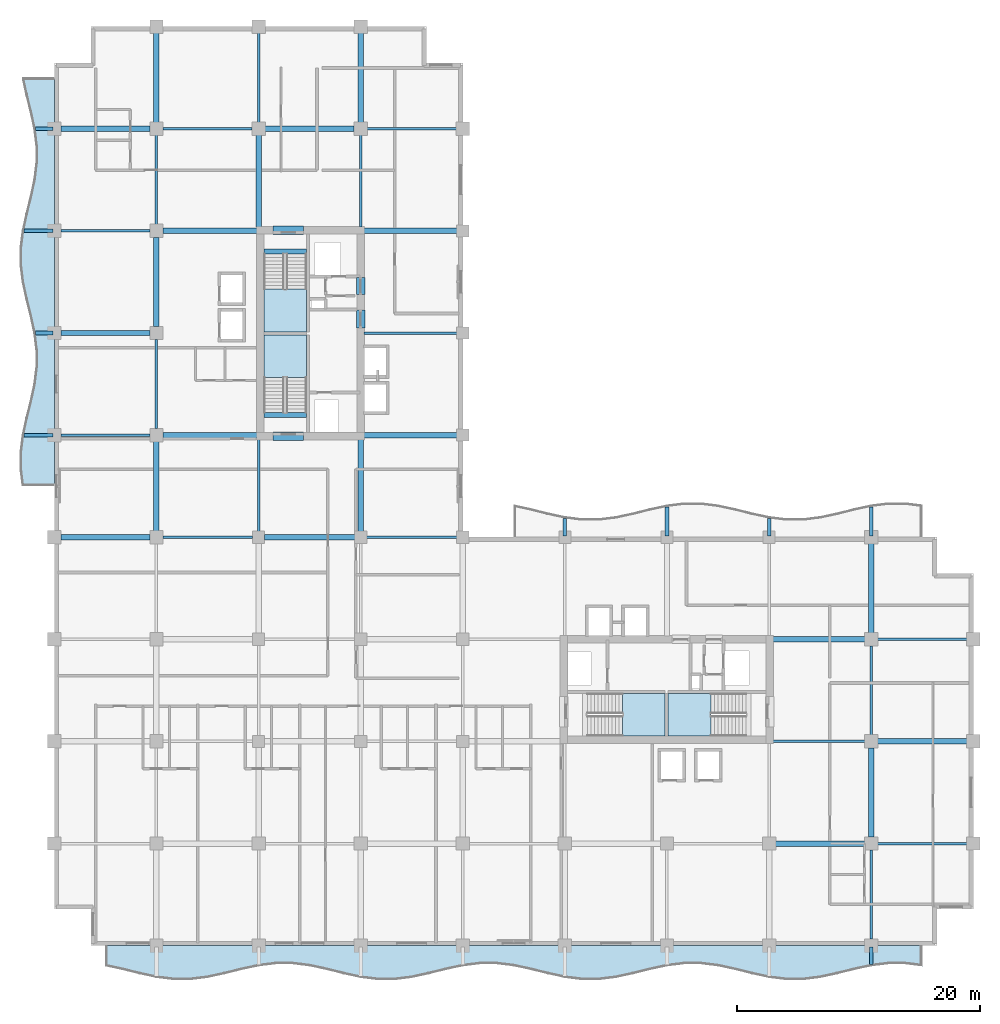
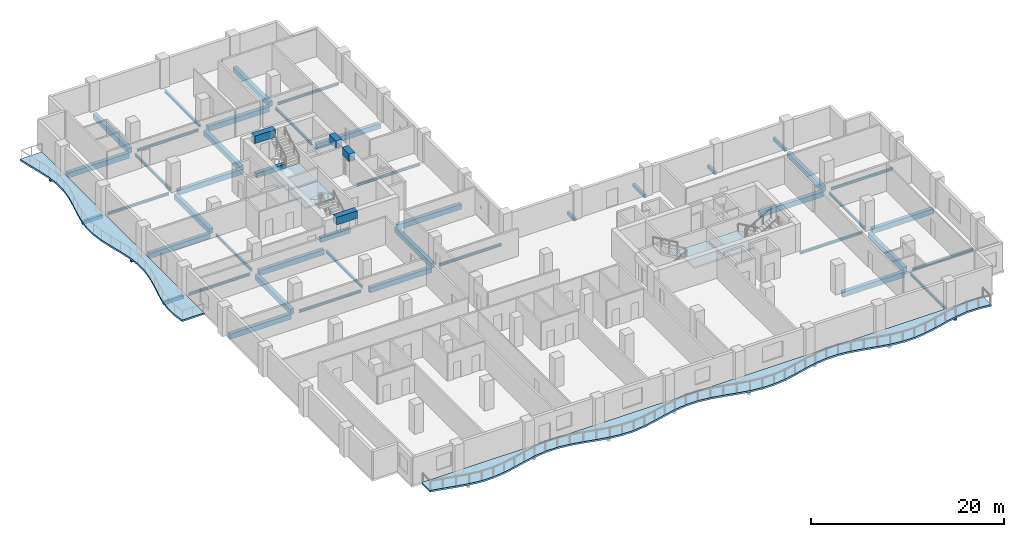
# One storey, part 2 of 14: 52 beams, 6 slabs, 4 elements without a shape of their own.
"""IFC4 building model written with IfcOpenShell, lengths in metres."""

import ifcopenshell
import ifcopenshell.guid

model = None  # the IFC model being written
_history = None  # IfcOwnerHistory: only IFC2X3 demands one
_inside = {}  # id of a spatial element -> (the spatial element, [elements in it])
_under = {}  # id of a project, library or spatial element -> (it, [spatial elements below it])
_declared = {}  # id of a project -> (the project, [libraries it declares])
_typed = {}  # id of a type object -> (the type object, [elements of that type])
_made_of = {}  # id of a material, layer set ... -> (it, [elements and type objects made of it])


def new_model(schema):
    """Start an empty IFC model of exactly this schema.

    Asked for "IFC4X3", IfcOpenShell would pick the latest addendum, in which some entities
    have other attributes; the version numbers below select the first issue.
    IFC2X3 requires an IfcOwnerHistory on every rooted entity: one is made here for all.
    """
    global model, _history
    if schema == "IFC4X3":
        model = ifcopenshell.file(schema_version=(4, 3, 0, 0))
    else:
        model = ifcopenshell.file(schema=schema)
    _inside.clear()
    _under.clear()
    _declared.clear()
    _typed.clear()
    _made_of.clear()
    _history = None
    if model.schema == "IFC2X3":
        org = make("IfcOrganization", Name="unknown")
        user = make(
            "IfcPersonAndOrganization",
            ThePerson=make("IfcPerson", FamilyName="unknown"),
            TheOrganization=org,
        )
        app = make(
            "IfcApplication",
            ApplicationDeveloper=org,
            Version="unknown",
            ApplicationFullName="unknown",
            ApplicationIdentifier="unknown",
        )
        _history = make(
            "IfcOwnerHistory",
            OwningUser=user,
            OwningApplication=app,
            ChangeAction="ADDED",
            CreationDate=0,
        )
    return model


def make(cls, **values):
    """One entity of the class cls with the attributes given. An attribute that is None is left unset."""
    return model.create_entity(
        cls, **{name: value for name, value in values.items() if value is not None}
    )


def rooted(cls, **values):
    """An entity with a GlobalId (a new one), such as an element, a storey or a relation."""
    return make(cls, GlobalId=ifcopenshell.guid.new(), OwnerHistory=_history, **values)


def si_unit(unit_type, name, prefix=None):
    """IfcSIUnit, for example si_unit("LENGTHUNIT", "METRE", prefix="MILLI")."""
    return make("IfcSIUnit", UnitType=unit_type, Prefix=prefix, Name=name)


def assignment(units):
    """IfcUnitAssignment: the units of a project."""
    return None if units is None else make("IfcUnitAssignment", Units=units)


def point(xyz):
    """IfcCartesianPoint."""
    return None if xyz is None else make("IfcCartesianPoint", Coordinates=xyz)


def direction(xyz):
    """IfcDirection."""
    return None if xyz is None else make("IfcDirection", DirectionRatios=xyz)


def frame(location, z_axis=None, x_axis=None):
    """IfcAxis2Placement3D, a coordinate frame: its origin and axes. An axis left out is left unset."""
    return make(
        "IfcAxis2Placement3D",
        Location=point(location),
        Axis=direction(z_axis),
        RefDirection=direction(x_axis),
    )


def frame_2d(location, x_axis=None):
    """IfcAxis2Placement2D, a coordinate frame in the plane: its origin and x axis."""
    return make(
        "IfcAxis2Placement2D", Location=point(location), RefDirection=direction(x_axis)
    )


def origin():
    """The frame at (0, 0, 0) with its axes left unset."""
    return frame((0.0, 0.0, 0.0))


def origin_2d():
    """The frame at (0, 0) in the plane with its x axis left unset."""
    return frame_2d((0.0, 0.0))


def place(relative_to, where):
    """IfcLocalPlacement: puts the frame where relative to a parent placement (None: the world)."""
    return make(
        "IfcLocalPlacement", PlacementRelTo=relative_to, RelativePlacement=where
    )


def context(
    kind, dimensions, precision=None, world=None, true_north=None, identifier=None
):
    """IfcGeometricRepresentationContext, for example the 3D "Model" context."""
    return make(
        "IfcGeometricRepresentationContext",
        ContextIdentifier=identifier,
        ContextType=kind,
        CoordinateSpaceDimension=dimensions,
        Precision=precision,
        WorldCoordinateSystem=world,
        TrueNorth=true_north,
    )


def subcontext(parent, identifier, kind, view, scale=None):
    """IfcGeometricRepresentationSubContext, for example "Body" below "Model"."""
    return make(
        "IfcGeometricRepresentationSubContext",
        ContextIdentifier=identifier,
        ContextType=kind,
        ParentContext=parent,
        TargetScale=scale,
        TargetView=view,
    )


def project(units=None, contexts=None):
    """IfcProject with its units and contexts."""
    return rooted(
        "IfcProject",
        Name="project",
        RepresentationContexts=contexts,
        UnitsInContext=assignment(units),
    )


def spatial(cls, under=None, at=None, **own):
    """A site, building, storey or space (cls), placed at a placement, below another one or the project."""
    s = rooted(cls, ObjectPlacement=at, **own)
    if under is not None:
        _under.setdefault(under.id(), (under, []))[1].append(s)
    return s


def polyline(points):
    """IfcPolyline through the points."""
    return make("IfcPolyline", Points=[point(p) for p in points])


def profile(cls, at=None, kind="AREA", **sizes):
    """A parametric profile (cls). Its sizes go by their IFC names, for example OverallWidth=200.0."""
    return make(cls, ProfileType=kind, Position=at, **sizes)


def rectangle(**sizes):
    """IfcRectangleProfileDef."""
    return profile("IfcRectangleProfileDef", **sizes)


def i_section(**sizes):
    """IfcIShapeProfileDef."""
    return profile("IfcIShapeProfileDef", **sizes)


def outline(outer, holes=None, kind="AREA"):
    """IfcArbitraryClosedProfileDef: a profile drawn as a closed curve; with holes, ...WithVoids."""
    if holes is None:
        return make("IfcArbitraryClosedProfileDef", ProfileType=kind, OuterCurve=outer)
    return make(
        "IfcArbitraryProfileDefWithVoids",
        ProfileType=kind,
        OuterCurve=outer,
        InnerCurves=holes,
    )


def extrude(swept, where, along, depth):
    """IfcExtrudedAreaSolid: the profile swept, set in the frame where, extruded along a direction by depth."""
    return make(
        "IfcExtrudedAreaSolid",
        SweptArea=swept,
        Position=where,
        ExtrudedDirection=direction(along),
        Depth=depth,
    )


def shape(context_of_items, identifier, shape_type, items):
    """IfcShapeRepresentation: the items that make up one representation, for example the "Body"."""
    return make(
        "IfcShapeRepresentation",
        ContextOfItems=context_of_items,
        RepresentationIdentifier=identifier,
        RepresentationType=shape_type,
        Items=items,
    )


def material(Name=None, Category=None):
    """IfcMaterial."""
    return make("IfcMaterial", Name=Name, Category=Category)


def layer(
    of_material, thickness, ventilated=None, Name=None, Category=None, Priority=None
):
    """IfcMaterialLayer: one layer of a wall or slab, of a material (None: an air gap)."""
    return make(
        "IfcMaterialLayer",
        Material=of_material,
        LayerThickness=thickness,
        IsVentilated=ventilated,
        Name=Name,
        Category=Category,
        Priority=Priority,
    )


def layer_set(layers, Name=None):
    """IfcMaterialLayerSet."""
    return make("IfcMaterialLayerSet", MaterialLayers=layers, LayerSetName=Name)


def material_profile(
    of_material, cross_section, Name=None, Category=None, Priority=None
):
    """IfcMaterialProfile: a cross section and its material."""
    return make(
        "IfcMaterialProfile",
        Name=Name,
        Material=of_material,
        Profile=cross_section,
        Priority=Priority,
        Category=Category,
    )


def profile_set(profiles, Name=None, composite=None):
    """IfcMaterialProfileSet."""
    return make(
        "IfcMaterialProfileSet",
        Name=Name,
        MaterialProfiles=profiles,
        CompositeProfile=composite,
    )


def made_of(thing, what):
    """Note that an element or type object is made of a material, layer set ...; save() writes the relation."""
    if what is not None:
        _made_of.setdefault(what.id(), (what, []))[1].append(thing)
    return thing


def type_object(cls, material=None, **own):
    """A type object (cls), such as IfcWallType, which elements share."""
    return made_of(rooted(cls, **own), material)


def element(
    cls,
    number,
    at=None,
    inside=None,
    cuts=None,
    type_object=None,
    material=None,
    context=None,
    identifier="Body",
    shape_type=None,
    held_by="IfcProductDefinitionShape",
    body=None,
    shapes=None,
    **own,
):
    """One element of the class cls, such as IfcWall. Its Tag is "e" and its number.

    at: its placement. inside: the storey or other place that contains it. cuts: it is an
    opening in that element (IfcRelVoidsElement). A single representation is given by context,
    identifier, shape_type and body (its items); several are given by shapes. held_by: the class
    of the entity that holds the representations. save() writes the other relations.
    """
    e = rooted(cls, Tag="e%d" % number, ObjectPlacement=at, **own)
    if body is not None:
        shapes = [shape(context, identifier, shape_type, body)]
    if shapes is not None:
        e.Representation = make(held_by, Representations=shapes)
    if inside is not None:
        _inside.setdefault(inside.id(), (inside, []))[1].append(e)
    if cuts is not None:
        rooted(
            "IfcRelVoidsElement", RelatingBuildingElement=cuts, RelatedOpeningElement=e
        )
    if type_object is not None:
        _typed.setdefault(type_object.id(), (type_object, []))[1].append(e)
    return made_of(e, material)


def aggregate(whole, parts):
    """IfcRelAggregates: a whole, such as a stair, and the parts it consists of."""
    return rooted("IfcRelAggregates", RelatingObject=whole, RelatedObjects=parts)


def save(model, path):
    """Write the relations noted so far, then the file.

    IfcRelAggregates (storeys below a building ...), IfcRelContainedInSpatialStructure (elements
    in a storey), IfcRelDefinesByType, IfcRelAssociatesMaterial and IfcRelDeclares: one each for
    every whole, place, type object, material and project.
    """
    for whole, parts in _under.values():
        aggregate(whole, parts)
    for where, things in _inside.values():
        rooted(
            "IfcRelContainedInSpatialStructure",
            RelatedElements=things,
            RelatingStructure=where,
        )
    for kind, things in _typed.values():
        rooted("IfcRelDefinesByType", RelatedObjects=things, RelatingType=kind)
    for what, things in _made_of.values():
        rooted("IfcRelAssociatesMaterial", RelatedObjects=things, RelatingMaterial=what)
    for by, libraries in _declared.values():
        rooted("IfcRelDeclares", RelatingContext=by, RelatedDefinitions=libraries)
    model.write(path)


model = new_model("IFC4")

# Units and contexts
model_context = context("Model", 3, precision=1e-05, world=origin(), true_north=direction((0.0, 1.0)))
body_context = subcontext(model_context, "Body", "Model", "MODEL_VIEW")
ifc_project = project(units=[si_unit("LENGTHUNIT", "METRE"), si_unit("AREAUNIT", "SQUARE_METRE"), si_unit("VOLUMEUNIT", "CUBIC_METRE"), si_unit("PLANEANGLEUNIT", "RADIAN"), si_unit("MASSUNIT", "GRAM", prefix="KILO")], contexts=[model_context])

# Site, building, storey
site_placement = place(None, origin())
site = spatial("IfcSite", under=ifc_project, at=site_placement, CompositionType="ELEMENT")
building_placement = place(site_placement, origin())
building = spatial("IfcBuilding", under=site, at=building_placement, Name="Koriwani Terraces Tower", CompositionType="ELEMENT")
storey_placement = place(building_placement, frame((0.0, 0.0, 201.300048828125)))
storey = spatial("IfcBuildingStorey", under=building, at=storey_placement, Name="L49", CompositionType="ELEMENT", Elevation=201.300048828125)

# Beams
ifc_material_1 = material(Name="Concrete C40/50", Category="concrete")
ifc_material_profile_1 = material_profile(ifc_material_1, rectangle(XDim=0.300048828125, YDim=0.39990234375, at=origin_2d()), Name="Concrete C40/50", Category="LoadBearing")
ifc_profile_set_1 = profile_set([ifc_material_profile_1], Name="Concrete C40/50")
beam_type_1 = type_object("IfcBeamType", Name="BEAM_RC_BALCONY_RIB_300X400", PredefinedType="JOIST", material=ifc_profile_set_1)
beam_1_placement = place(storey_placement, frame((67.199951171875, -1.547607421875, -0.429931640625), z_axis=(0.0, 1.0, 0.0), x_axis=(-1.0, 0.0, 0.0)))
element("IfcBeam", 1, at=beam_1_placement, inside=storey, type_object=beam_type_1, Name="L49 Balcony Bracket Rib S-8", PredefinedType="JOIST", context=body_context, shape_type="SweptSolid", body=[
    extrude(rectangle(XDim=0.300048828125, YDim=0.39990234375, at=origin_2d()), origin(), (0.0, 0.0, 1.0), 1.447509765625),
])
beam_2_placement = place(storey_placement, frame((-2.502197265625, 42.0, -0.429931640625), z_axis=(1.0, 0.0, 0.0), x_axis=(0.0, 1.0, 0.0)))
element("IfcBeam", 2, at=beam_2_placement, inside=storey, type_object=beam_type_1, Name="L49 Balcony Bracket Rib W-1", PredefinedType="JOIST", context=body_context, shape_type="SweptSolid", body=[
    extrude(rectangle(XDim=0.300048828125, YDim=0.39990234375, at=origin_2d()), origin(), (0.0, 0.0, 1.0), 2.402099609375),
])
beam_3_placement = place(storey_placement, frame((-1.547607421875, 50.39990234375, -0.429931640625), z_axis=(1.0, 0.0, 0.0), x_axis=(0.0, 1.0, 0.0)))
element("IfcBeam", 3, at=beam_3_placement, inside=storey, type_object=beam_type_1, Name="L49 Balcony Bracket Rib W-2", PredefinedType="JOIST", context=body_context, shape_type="SweptSolid", body=[
    extrude(rectangle(XDim=0.300048828125, YDim=0.39990234375, at=origin_2d()), origin(), (0.0, 0.0, 1.0), 1.447509765625),
])
beam_4_placement = place(storey_placement, frame((-2.502197265625, 58.800048828125, -0.429931640625), z_axis=(1.0, 0.0, 0.0), x_axis=(0.0, 1.0, 0.0)))
element("IfcBeam", 4, at=beam_4_placement, inside=storey, type_object=beam_type_1, Name="L49 Balcony Bracket Rib W-3", PredefinedType="JOIST", context=body_context, shape_type="SweptSolid", body=[
    extrude(rectangle(XDim=0.300048828125, YDim=0.39990234375, at=origin_2d()), origin(), (0.0, 0.0, 1.0), 2.402099609375),
])
beam_5_placement = place(storey_placement, frame((-1.547607421875, 67.199951171875, -0.429931640625), z_axis=(1.0, 0.0, 0.0), x_axis=(0.0, 1.0, 0.0)))
element("IfcBeam", 5, at=beam_5_placement, inside=storey, type_object=beam_type_1, Name="L49 Balcony Bracket Rib W-4", PredefinedType="JOIST", context=body_context, shape_type="SweptSolid", body=[
    extrude(rectangle(XDim=0.300048828125, YDim=0.39990234375, at=origin_2d()), origin(), (0.0, 0.0, 1.0), 1.447509765625),
])
beam_6_placement = place(storey_placement, frame((42.0, 33.699951171875, -0.429931640625), z_axis=(0.0, 1.0, 0.0), x_axis=(-1.0, 0.0, 0.0)))
element("IfcBeam", 6, at=beam_6_placement, inside=storey, type_object=beam_type_1, Name="L49 Balcony Bracket Rib NE-1", PredefinedType="JOIST", context=body_context, shape_type="SweptSolid", body=[
    extrude(rectangle(XDim=0.300048828125, YDim=0.39990234375, at=origin_2d()), origin(), (0.0, 0.0, 1.0), 1.44775390625),
])
beam_7_placement = place(storey_placement, frame((50.39990234375, 33.699951171875, -0.429931640625), z_axis=(0.0, 1.0, 0.0), x_axis=(-1.0, 0.0, 0.0)))
element("IfcBeam", 7, at=beam_7_placement, inside=storey, type_object=beam_type_1, Name="L49 Balcony Bracket Rib NE-2", PredefinedType="JOIST", context=body_context, shape_type="SweptSolid", body=[
    extrude(rectangle(XDim=0.300048828125, YDim=0.39990234375, at=origin_2d()), origin(), (0.0, 0.0, 1.0), 2.40234375),
])
beam_8_placement = place(storey_placement, frame((58.800048828125, 33.699951171875, -0.429931640625), z_axis=(0.0, 1.0, 0.0), x_axis=(-1.0, 0.0, 0.0)))
element("IfcBeam", 8, at=beam_8_placement, inside=storey, type_object=beam_type_1, Name="L49 Balcony Bracket Rib NE-3", PredefinedType="JOIST", context=body_context, shape_type="SweptSolid", body=[
    extrude(rectangle(XDim=0.300048828125, YDim=0.39990234375, at=origin_2d()), origin(), (0.0, 0.0, 1.0), 1.44775390625),
])
beam_9_placement = place(storey_placement, frame((67.199951171875, 33.699951171875, -0.429931640625), z_axis=(0.0, 1.0, 0.0), x_axis=(-1.0, 0.0, 0.0)))
element("IfcBeam", 9, at=beam_9_placement, inside=storey, type_object=beam_type_1, Name="L49 Balcony Bracket Rib NE-4", PredefinedType="JOIST", context=body_context, shape_type="SweptSolid", body=[
    extrude(rectangle(XDim=0.300048828125, YDim=0.39990234375, at=origin_2d()), origin(), (0.0, 0.0, 1.0), 2.40234375),
])
ifc_material_2 = material(Name="Concrete C60/75", Category="concrete")
ifc_material_profile_2 = material_profile(ifc_material_2, rectangle(XDim=0.699951171875, YDim=0.949951171875, at=origin_2d()), Name="Concrete C60/75", Category="LoadBearing")
ifc_profile_set_2 = profile_set([ifc_material_profile_2], Name="Concrete C60/75")
beam_type_2 = type_object("IfcBeamType", Name="BEAM_RC_COUPLING_700X950", PredefinedType="LINTEL", material=ifc_profile_set_2)
beam_10_placement = place(storey_placement, frame((25.199951171875, 50.800048828125, 2.994873046875), z_axis=(0.0, 1.0, 0.0), x_axis=(-1.0, 0.0, 0.0)))
element("IfcBeam", 10, at=beam_10_placement, inside=storey, type_object=beam_type_2, Name="L49 Core Coupling Lintel Beam WE1", PredefinedType="LINTEL", context=body_context, shape_type="SweptSolid", body=[
    extrude(rectangle(XDim=0.699951171875, YDim=0.949951171875, at=origin_2d()), origin(), (0.0, 0.0, 1.0), 1.47998046875),
])
beam_11_placement = place(storey_placement, frame((25.199951171875, 53.550048828125, 2.994873046875), z_axis=(0.0, 1.0, 0.0), x_axis=(-1.0, 0.0, 0.0)))
element("IfcBeam", 11, at=beam_11_placement, inside=storey, type_object=beam_type_2, Name="L49 Core Coupling Lintel Beam WE2", PredefinedType="LINTEL", context=body_context, shape_type="SweptSolid", body=[
    extrude(rectangle(XDim=0.699951171875, YDim=0.949951171875, at=origin_2d()), origin(), (0.0, 0.0, 1.0), 1.39990234375),
])
for number, where, z_axis, x_axis, name in (
    (12, (18.0, 41.89990234375, 2.994873046875), (1.0, 0.0, 0.0), (0.0, 1.0, 0.0), "L49 Core Coupling Lintel Beam WS"),
    (13, (18.0, 58.85009765625, 2.994873046875), (1.0, 0.0, 0.0), (0.0, 1.0, 0.0), "L49 Core Coupling Lintel Beam WN"),
):
    element("IfcBeam", number, at=place(storey_placement, frame(where, z_axis=z_axis, x_axis=x_axis)), inside=storey, type_object=beam_type_2, Name=name, PredefinedType="LINTEL", context=body_context, shape_type="SweptSolid", body=[
        extrude(rectangle(XDim=0.699951171875, YDim=0.949951171875, at=origin_2d()), origin(), (0.0, 0.0, 1.0), 2.5),
    ])
ifc_material_profile_3 = material_profile(ifc_material_1, rectangle(XDim=0.39990234375, YDim=0.60009765625, at=origin_2d()), Name="Concrete C40/50", Category="LoadBearing")
ifc_profile_set_3 = profile_set([ifc_material_profile_3], Name="Concrete C40/50")
beam_type_3 = type_object("IfcBeamType", Name="BEAM_RC_GRID_400X600", PredefinedType="BEAM", material=ifc_profile_set_3)
for number, where, z_axis, x_axis, name in (
    (14, (17.25, 43.655029296875, -0.300048828125), (1.0, 0.0, 0.0), (0.0, 1.0, 0.0), "L49 Stairwell Header Trimmer Beam ST-W1"),
    (15, (17.25, 57.094970703125, -0.300048828125), (1.0, 0.0, 0.0), (0.0, 1.0, 0.0), "L49 Stairwell Header Trimmer Beam ST-W2"),
):
    element("IfcBeam", number, at=place(storey_placement, frame(where, z_axis=z_axis, x_axis=x_axis)), inside=storey, type_object=beam_type_3, Name=name, PredefinedType="BEAM", context=body_context, shape_type="SweptSolid", body=[
        extrude(rectangle(XDim=0.39990234375, YDim=0.60009765625, at=origin_2d()), origin(), (0.0, 0.0, 1.0), 3.5),
    ])
ifc_material_3 = material(Name="Concrete C50/60", Category="concrete")
ifc_material_profile_4 = material_profile(ifc_material_3, rectangle(XDim=0.449951171875, YDim=0.64990234375, at=origin_2d()), Name="Concrete C50/60", Category="LoadBearing")
ifc_profile_set_4 = profile_set([ifc_material_profile_4], Name="Concrete C50/60")
beam_type_4 = type_object("IfcBeamType", Name="BEAM_RC_GRID_450X650", PredefinedType="BEAM", material=ifc_profile_set_4)
beam_12_placement = place(storey_placement, frame((59.330078125, 8.39990234375, -0.554931640625), z_axis=(1.0, 0.0, 0.0), x_axis=(0.0, 1.0, 0.0)))
element("IfcBeam", 16, at=beam_12_placement, inside=storey, type_object=beam_type_4, Name="L49 Grid Beam B (58.8-67.2m)", PredefinedType="BEAM", context=body_context, shape_type="SweptSolid", body=[
    extrude(rectangle(XDim=0.449951171875, YDim=0.64990234375, at=origin_2d()), origin(), (0.0, 0.0, 1.0), 7.33984375),
])
beam_13_placement = place(storey_placement, frame((67.72998046875, 16.800048828125, -0.554931640625), z_axis=(1.0, 0.0, 0.0), x_axis=(0.0, 1.0, 0.0)))
element("IfcBeam", 17, at=beam_13_placement, inside=storey, type_object=beam_type_4, Name="L49 Grid Beam C (67.2-75.6m)", PredefinedType="BEAM", context=body_context, shape_type="SweptSolid", body=[
    extrude(rectangle(XDim=0.449951171875, YDim=0.64990234375, at=origin_2d()), origin(), (0.0, 0.0, 1.0), 7.340087890625),
])
beam_14_placement = place(storey_placement, frame((59.1298828125, 25.199951171875, -0.554931640625), z_axis=(1.0, 0.0, 0.0), x_axis=(0.0, 1.0, 0.0)))
element("IfcBeam", 18, at=beam_14_placement, inside=storey, type_object=beam_type_4, Name="L49 Grid Beam D (58.8-67.2m)", PredefinedType="BEAM", context=body_context, shape_type="SweptSolid", body=[
    extrude(rectangle(XDim=0.449951171875, YDim=0.64990234375, at=origin_2d()), origin(), (0.0, 0.0, 1.0), 7.5400390625),
])
beam_15_placement = place(storey_placement, frame((0.530029296875, 33.60009765625, -0.554931640625), z_axis=(1.0, 0.0, 0.0), x_axis=(0.0, 1.0, 0.0)))
element("IfcBeam", 19, at=beam_15_placement, inside=storey, type_object=beam_type_4, Name="L49 Grid Beam E (0.0-8.4m)", PredefinedType="BEAM", context=body_context, shape_type="SweptSolid", body=[
    extrude(rectangle(XDim=0.449951171875, YDim=0.64990234375, at=origin_2d()), origin(), (0.0, 0.0, 1.0), 7.340087890625),
])
beam_16_placement = place(storey_placement, frame((17.280029296875, 33.60009765625, -0.554931640625), z_axis=(1.0, 0.0, 0.0), x_axis=(0.0, 1.0, 0.0)))
element("IfcBeam", 20, at=beam_16_placement, inside=storey, type_object=beam_type_4, Name="L49 Grid Beam E (16.8-25.2m)", PredefinedType="BEAM", context=body_context, shape_type="SweptSolid", body=[
    extrude(rectangle(XDim=0.449951171875, YDim=0.64990234375, at=origin_2d()), origin(), (0.0, 0.0, 1.0), 7.43994140625),
])
beam_17_placement = place(storey_placement, frame((8.929931640625, 42.0, -0.554931640625), z_axis=(1.0, 0.0, 0.0), x_axis=(0.0, 1.0, 0.0)))
element("IfcBeam", 21, at=beam_17_placement, inside=storey, type_object=beam_type_4, Name="L49 Grid Beam F (8.4-16.8m)", PredefinedType="BEAM", context=body_context, shape_type="SweptSolid", body=[
    extrude(rectangle(XDim=0.449951171875, YDim=0.64990234375, at=origin_2d()), origin(), (0.0, 0.0, 1.0), 7.739990234375),
])
beam_18_placement = place(storey_placement, frame((25.47998046875, 42.0, -0.554931640625), z_axis=(1.0, 0.0, 0.0), x_axis=(0.0, 1.0, 0.0)))
element("IfcBeam", 22, at=beam_18_placement, inside=storey, type_object=beam_type_4, Name="L49 Grid Beam F (25.2-33.6m)", PredefinedType="BEAM", context=body_context, shape_type="SweptSolid", body=[
    extrude(rectangle(XDim=0.449951171875, YDim=0.64990234375, at=origin_2d()), origin(), (0.0, 0.0, 1.0), 7.64013671875),
])
beam_19_placement = place(storey_placement, frame((0.530029296875, 50.39990234375, -0.554931640625), z_axis=(1.0, 0.0, 0.0), x_axis=(0.0, 1.0, 0.0)))
element("IfcBeam", 23, at=beam_19_placement, inside=storey, type_object=beam_type_4, Name="L49 Grid Beam G (0.0-8.4m)", PredefinedType="BEAM", context=body_context, shape_type="SweptSolid", body=[
    extrude(rectangle(XDim=0.449951171875, YDim=0.64990234375, at=origin_2d()), origin(), (0.0, 0.0, 1.0), 7.340087890625),
])
beam_20_placement = place(storey_placement, frame((8.929931640625, 58.800048828125, -0.554931640625), z_axis=(1.0, 0.0, 0.0), x_axis=(0.0, 1.0, 0.0)))
element("IfcBeam", 24, at=beam_20_placement, inside=storey, type_object=beam_type_4, Name="L49 Grid Beam H (8.4-16.8m)", PredefinedType="BEAM", context=body_context, shape_type="SweptSolid", body=[
    extrude(rectangle(XDim=0.449951171875, YDim=0.64990234375, at=origin_2d()), origin(), (0.0, 0.0, 1.0), 7.739990234375),
])
beam_21_placement = place(storey_placement, frame((25.47998046875, 58.800048828125, -0.554931640625), z_axis=(1.0, 0.0, 0.0), x_axis=(0.0, 1.0, 0.0)))
element("IfcBeam", 25, at=beam_21_placement, inside=storey, type_object=beam_type_4, Name="L49 Grid Beam H (25.2-33.6m)", PredefinedType="BEAM", context=body_context, shape_type="SweptSolid", body=[
    extrude(rectangle(XDim=0.449951171875, YDim=0.64990234375, at=origin_2d()), origin(), (0.0, 0.0, 1.0), 7.64013671875),
])
beam_22_placement = place(storey_placement, frame((0.530029296875, 67.199951171875, -0.554931640625), z_axis=(1.0, 0.0, 0.0), x_axis=(0.0, 1.0, 0.0)))
element("IfcBeam", 26, at=beam_22_placement, inside=storey, type_object=beam_type_4, Name="L49 Grid Beam I (0.0-8.4m)", PredefinedType="BEAM", context=body_context, shape_type="SweptSolid", body=[
    extrude(rectangle(XDim=0.449951171875, YDim=0.64990234375, at=origin_2d()), origin(), (0.0, 0.0, 1.0), 7.340087890625),
])
beam_23_placement = place(storey_placement, frame((17.330078125, 67.199951171875, -0.554931640625), z_axis=(1.0, 0.0, 0.0), x_axis=(0.0, 1.0, 0.0)))
element("IfcBeam", 27, at=beam_23_placement, inside=storey, type_object=beam_type_4, Name="L49 Grid Beam I (16.8-25.2m)", PredefinedType="BEAM", context=body_context, shape_type="SweptSolid", body=[
    extrude(rectangle(XDim=0.449951171875, YDim=0.64990234375, at=origin_2d()), origin(), (0.0, 0.0, 1.0), 7.33984375),
])
for number, where, z_axis, x_axis, name in (
    (28, (8.39990234375, 34.1298828125, -0.554931640625), (0.0, 1.0, 0.0), (-1.0, 0.0, 0.0), "L49 Grid Beam 2 (33.6-42.0m)"),
    (29, (8.39990234375, 50.929931640625, -0.554931640625), (0.0, 1.0, 0.0), (-1.0, 0.0, 0.0), "L49 Grid Beam 2 (50.4-58.8m)"),
    (30, (8.39990234375, 67.72998046875, -0.554931640625), (0.0, 1.0, 0.0), (-1.0, 0.0, 0.0), "L49 Grid Beam 2 (67.2-75.6m)"),
):
    element("IfcBeam", number, at=place(storey_placement, frame(where, z_axis=z_axis, x_axis=x_axis)), inside=storey, type_object=beam_type_4, Name=name, PredefinedType="BEAM", context=body_context, shape_type="SweptSolid", body=[
        extrude(rectangle(XDim=0.449951171875, YDim=0.64990234375, at=origin_2d()), origin(), (0.0, 0.0, 1.0), 7.340087890625),
    ])
for number, where, z_axis, x_axis, name in (
    (31, (16.800048828125, 59.1298828125, -0.554931640625), (0.0, 1.0, 0.0), (-1.0, 0.0, 0.0), "L49 Grid Beam 3 (58.8-67.2m)"),
    (32, (25.199951171875, 34.080078125, -0.554931640625), (0.0, 1.0, 0.0), (-1.0, 0.0, 0.0), "L49 Grid Beam 4 (33.6-42.0m)"),
):
    element("IfcBeam", number, at=place(storey_placement, frame(where, z_axis=z_axis, x_axis=x_axis)), inside=storey, type_object=beam_type_4, Name=name, PredefinedType="BEAM", context=body_context, shape_type="SweptSolid", body=[
        extrude(rectangle(XDim=0.449951171875, YDim=0.64990234375, at=origin_2d()), origin(), (0.0, 0.0, 1.0), 7.5400390625),
    ])
for number, where, z_axis, x_axis, name in (
    (33, (25.199951171875, 67.72998046875, -0.554931640625), (0.0, 1.0, 0.0), (-1.0, 0.0, 0.0), "L49 Grid Beam 4 (67.2-75.6m)"),
    (34, (67.199951171875, 8.929931640625, -0.554931640625), (0.0, 1.0, 0.0), (-1.0, 0.0, 0.0), "L49 Grid Beam 9 (8.4-16.8m)"),
    (35, (67.199951171875, 25.72998046875, -0.554931640625), (0.0, 1.0, 0.0), (-1.0, 0.0, 0.0), "L49 Grid Beam 9 (25.2-33.6m)"),
):
    element("IfcBeam", number, at=place(storey_placement, frame(where, z_axis=z_axis, x_axis=x_axis)), inside=storey, type_object=beam_type_4, Name=name, PredefinedType="BEAM", context=body_context, shape_type="SweptSolid", body=[
        extrude(rectangle(XDim=0.449951171875, YDim=0.64990234375, at=origin_2d()), origin(), (0.0, 0.0, 1.0), 7.340087890625),
    ])
ifc_material_4 = material(Name="Steel ASTM A572 Grade 50", Category="steel")
ifc_material_profile_5 = material_profile(ifc_material_4, i_section(OverallWidth=0.205078125, OverallDepth=0.31005859375, WebThickness=0.009521484375, FlangeThickness=0.016357421875, at=origin_2d()), Name="Steel ASTM A572 Grade 50", Category="LoadBearing")
ifc_profile_set_5 = profile_set([ifc_material_profile_5], Name="Steel ASTM A572 Grade 50")
beam_type_5 = type_object("IfcBeamType", Name="STEEL_BEAM_W310X74", PredefinedType="JOIST", material=ifc_profile_set_5)
beam_24_placement = place(storey_placement, frame((67.72998046875, 8.39990234375, -0.385009765625), z_axis=(1.0, 0.0, 0.0), x_axis=(0.0, 1.0, 0.0)))
element("IfcBeam", 36, at=beam_24_placement, inside=storey, type_object=beam_type_5, Name="L49 Grid Beam B (67.2-75.6m)", PredefinedType="JOIST", context=body_context, shape_type="SweptSolid", body=[
    extrude(i_section(OverallWidth=0.205078125, OverallDepth=0.31005859375, WebThickness=0.009521484375, FlangeThickness=0.016357421875, at=origin_2d()), origin(), (0.0, 0.0, 1.0), 7.340087890625),
])
beam_25_placement = place(storey_placement, frame((59.1298828125, 16.800048828125, -0.385009765625), z_axis=(1.0, 0.0, 0.0), x_axis=(0.0, 1.0, 0.0)))
element("IfcBeam", 37, at=beam_25_placement, inside=storey, type_object=beam_type_5, Name="L49 Grid Beam C (58.8-67.2m)", PredefinedType="JOIST", context=body_context, shape_type="SweptSolid", body=[
    extrude(i_section(OverallWidth=0.205078125, OverallDepth=0.31005859375, WebThickness=0.009521484375, FlangeThickness=0.016357421875, at=origin_2d()), origin(), (0.0, 0.0, 1.0), 7.5400390625),
])
beam_26_placement = place(storey_placement, frame((67.72998046875, 25.199951171875, -0.385009765625), z_axis=(1.0, 0.0, 0.0), x_axis=(0.0, 1.0, 0.0)))
element("IfcBeam", 38, at=beam_26_placement, inside=storey, type_object=beam_type_5, Name="L49 Grid Beam D (67.2-75.6m)", PredefinedType="JOIST", context=body_context, shape_type="SweptSolid", body=[
    extrude(i_section(OverallWidth=0.205078125, OverallDepth=0.31005859375, WebThickness=0.009521484375, FlangeThickness=0.016357421875, at=origin_2d()), origin(), (0.0, 0.0, 1.0), 7.340087890625),
])
beam_27_placement = place(storey_placement, frame((8.929931640625, 33.60009765625, -0.385009765625), z_axis=(1.0, 0.0, 0.0), x_axis=(0.0, 1.0, 0.0)))
element("IfcBeam", 39, at=beam_27_placement, inside=storey, type_object=beam_type_5, Name="L49 Grid Beam E (8.4-16.8m)", PredefinedType="JOIST", context=body_context, shape_type="SweptSolid", body=[
    extrude(i_section(OverallWidth=0.205078125, OverallDepth=0.31005859375, WebThickness=0.009521484375, FlangeThickness=0.016357421875, at=origin_2d()), origin(), (0.0, 0.0, 1.0), 7.39013671875),
])
beam_28_placement = place(storey_placement, frame((25.679931640625, 33.60009765625, -0.385009765625), z_axis=(1.0, 0.0, 0.0), x_axis=(0.0, 1.0, 0.0)))
element("IfcBeam", 40, at=beam_28_placement, inside=storey, type_object=beam_type_5, Name="L49 Grid Beam E (25.2-33.6m)", PredefinedType="JOIST", context=body_context, shape_type="SweptSolid", body=[
    extrude(i_section(OverallWidth=0.205078125, OverallDepth=0.31005859375, WebThickness=0.009521484375, FlangeThickness=0.016357421875, at=origin_2d()), origin(), (0.0, 0.0, 1.0), 7.440185546875),
])
beam_29_placement = place(storey_placement, frame((0.530029296875, 42.0, -0.385009765625), z_axis=(1.0, 0.0, 0.0), x_axis=(0.0, 1.0, 0.0)))
element("IfcBeam", 41, at=beam_29_placement, inside=storey, type_object=beam_type_5, Name="L49 Grid Beam F (0.0-8.4m)", PredefinedType="JOIST", context=body_context, shape_type="SweptSolid", body=[
    extrude(i_section(OverallWidth=0.205078125, OverallDepth=0.31005859375, WebThickness=0.009521484375, FlangeThickness=0.016357421875, at=origin_2d()), origin(), (0.0, 0.0, 1.0), 7.340087890625),
])
beam_30_placement = place(storey_placement, frame((25.47998046875, 50.39990234375, -0.385009765625), z_axis=(1.0, 0.0, 0.0), x_axis=(0.0, 1.0, 0.0)))
element("IfcBeam", 42, at=beam_30_placement, inside=storey, type_object=beam_type_5, Name="L49 Grid Beam G (25.2-33.6m)", PredefinedType="JOIST", context=body_context, shape_type="SweptSolid", body=[
    extrude(i_section(OverallWidth=0.205078125, OverallDepth=0.31005859375, WebThickness=0.009521484375, FlangeThickness=0.016357421875, at=origin_2d()), origin(), (0.0, 0.0, 1.0), 7.64013671875),
])
for number, where, z_axis, x_axis, name in (
    (43, (0.530029296875, 58.800048828125, -0.385009765625), (1.0, 0.0, 0.0), (0.0, 1.0, 0.0), "L49 Grid Beam H (0.0-8.4m)"),
    (44, (8.929931640625, 67.199951171875, -0.385009765625), (1.0, 0.0, 0.0), (0.0, 1.0, 0.0), "L49 Grid Beam I (8.4-16.8m)"),
    (45, (25.72998046875, 67.199951171875, -0.385009765625), (1.0, 0.0, 0.0), (0.0, 1.0, 0.0), "L49 Grid Beam I (25.2-33.6m)"),
    (46, (8.39990234375, 42.530029296875, -0.385009765625), (0.0, 1.0, 0.0), (-1.0, 0.0, 0.0), "L49 Grid Beam 2 (42.0-50.4m)"),
):
    element("IfcBeam", number, at=place(storey_placement, frame(where, z_axis=z_axis, x_axis=x_axis)), inside=storey, type_object=beam_type_5, Name=name, PredefinedType="JOIST", context=body_context, shape_type="SweptSolid", body=[
        extrude(i_section(OverallWidth=0.205078125, OverallDepth=0.31005859375, WebThickness=0.009521484375, FlangeThickness=0.016357421875, at=origin_2d()), origin(), (0.0, 0.0, 1.0), 7.340087890625),
    ])
beam_31_placement = place(storey_placement, frame((8.39990234375, 59.330078125, -0.385009765625), z_axis=(0.0, 1.0, 0.0), x_axis=(-1.0, 0.0, 0.0)))
element("IfcBeam", 47, at=beam_31_placement, inside=storey, type_object=beam_type_5, Name="L49 Grid Beam 2 (58.8-67.2m)", PredefinedType="JOIST", context=body_context, shape_type="SweptSolid", body=[
    extrude(i_section(OverallWidth=0.205078125, OverallDepth=0.31005859375, WebThickness=0.009521484375, FlangeThickness=0.016357421875, at=origin_2d()), origin(), (0.0, 0.0, 1.0), 7.33984375),
])
beam_32_placement = place(storey_placement, frame((16.800048828125, 34.080078125, -0.385009765625), z_axis=(0.0, 1.0, 0.0), x_axis=(-1.0, 0.0, 0.0)))
element("IfcBeam", 48, at=beam_32_placement, inside=storey, type_object=beam_type_5, Name="L49 Grid Beam 3 (33.6-42.0m)", PredefinedType="JOIST", context=body_context, shape_type="SweptSolid", body=[
    extrude(i_section(OverallWidth=0.205078125, OverallDepth=0.31005859375, WebThickness=0.009521484375, FlangeThickness=0.016357421875, at=origin_2d()), origin(), (0.0, 0.0, 1.0), 7.5400390625),
])
beam_33_placement = place(storey_placement, frame((16.800048828125, 67.72998046875, -0.385009765625), z_axis=(0.0, 1.0, 0.0), x_axis=(-1.0, 0.0, 0.0)))
element("IfcBeam", 49, at=beam_33_placement, inside=storey, type_object=beam_type_5, Name="L49 Grid Beam 3 (67.2-75.6m)", PredefinedType="JOIST", context=body_context, shape_type="SweptSolid", body=[
    extrude(i_section(OverallWidth=0.205078125, OverallDepth=0.31005859375, WebThickness=0.009521484375, FlangeThickness=0.016357421875, at=origin_2d()), origin(), (0.0, 0.0, 1.0), 7.340087890625),
])
beam_34_placement = place(storey_placement, frame((25.199951171875, 59.1298828125, -0.385009765625), z_axis=(0.0, 1.0, 0.0), x_axis=(-1.0, 0.0, 0.0)))
element("IfcBeam", 50, at=beam_34_placement, inside=storey, type_object=beam_type_5, Name="L49 Grid Beam 4 (58.8-67.2m)", PredefinedType="JOIST", context=body_context, shape_type="SweptSolid", body=[
    extrude(i_section(OverallWidth=0.205078125, OverallDepth=0.31005859375, WebThickness=0.009521484375, FlangeThickness=0.016357421875, at=origin_2d()), origin(), (0.0, 0.0, 1.0), 7.5400390625),
])
beam_35_placement = place(storey_placement, frame((67.199951171875, 0.530029296875, -0.385009765625), z_axis=(0.0, 1.0, 0.0), x_axis=(-1.0, 0.0, 0.0)))
element("IfcBeam", 51, at=beam_35_placement, inside=storey, type_object=beam_type_5, Name="L49 Grid Beam 9 (0.0-8.4m)", PredefinedType="JOIST", context=body_context, shape_type="SweptSolid", body=[
    extrude(i_section(OverallWidth=0.205078125, OverallDepth=0.31005859375, WebThickness=0.009521484375, FlangeThickness=0.016357421875, at=origin_2d()), origin(), (0.0, 0.0, 1.0), 7.340087890625),
])
beam_36_placement = place(storey_placement, frame((67.199951171875, 17.330078125, -0.385009765625), z_axis=(0.0, 1.0, 0.0), x_axis=(-1.0, 0.0, 0.0)))
element("IfcBeam", 52, at=beam_36_placement, inside=storey, type_object=beam_type_5, Name="L49 Grid Beam 9 (16.8-25.2m)", PredefinedType="JOIST", context=body_context, shape_type="SweptSolid", body=[
    extrude(i_section(OverallWidth=0.205078125, OverallDepth=0.31005859375, WebThickness=0.009521484375, FlangeThickness=0.016357421875, at=origin_2d()), origin(), (0.0, 0.0, 1.0), 7.33984375),
])

# Slabs
ifc_layer_1 = layer(ifc_material_1, 0.219970703125, Name="Concrete C40/50")
ifc_layer_set_1 = layer_set([ifc_layer_1], Name="Concrete C40/50")
slab_type_1 = type_object("IfcSlabType", Name="SLAB_BALCONY_220", PredefinedType="FLOOR", material=ifc_layer_set_1)
slab_1_placement = place(storey_placement, frame((0.0, 0.0, -0.219970703125)))
element("IfcSlab", 53, at=slab_1_placement, inside=storey, type_object=slab_type_1, Name="L49 Quilted Circular-Arc Balcony (S)", PredefinedType="FLOOR", context=body_context, shape_type="SweptSolid", body=[
    extrude(outline(polyline([(4.199951171875, 0.0), (5.60009765625, 0.0), (7.0, 0.0), (8.39990234375, 0.0), (9.800048828125, 0.0), (11.199951171875, 0.0), (12.60009765625, 0.0), (14.0, 0.0), (15.39990234375, 0.0), (16.800048828125, 0.0), (18.199951171875, 0.0), (19.60009765625, 0.0), (21.0, 0.0), (22.39990234375, 0.0), (23.800048828125, 0.0), (25.199951171875, 0.0), (26.60009765625, 0.0), (28.0, 0.0), (29.39990234375, 0.0), (30.800048828125, 0.0), (32.199951171875, 0.0), (33.60009765625, 0.0), (35.0, 0.0), (36.39990234375, 0.0), (37.800048828125, 0.0), (39.199951171875, 0.0), (40.60009765625, 0.0), (42.0, 0.0), (43.39990234375, 0.0), (44.800048828125, 0.0), (46.199951171875, 0.0), (47.60009765625, 0.0), (49.0, 0.0), (50.39990234375, 0.0), (51.800048828125, 0.0), (53.199951171875, 0.0), (54.60009765625, 0.0), (56.0, 0.0), (57.39990234375, 0.0), (58.800048828125, 0.0), (60.199951171875, 0.0), (61.60009765625, 0.0), (63.0, 0.0), (64.39990234375, 0.0), (65.800048828125, 0.0), (67.199951171875, 0.0), (68.60009765625, 0.0), (70.0, 0.0), (71.39990234375, 0.0), (71.39990234375, -1.69775390625), (70.0, -1.52294921875), (68.60009765625, -1.52294921875), (67.199951171875, -1.69775390625), (65.800048828125, -2.000244140625), (64.39990234375, -2.349609375), (63.0, -2.65234375), (61.60009765625, -2.826904296875), (60.199951171875, -2.826904296875), (58.800048828125, -2.65234375), (57.39990234375, -2.349609375), (56.0, -2.000244140625), (54.60009765625, -1.69775390625), (53.199951171875, -1.52294921875), (51.800048828125, -1.52294921875), (50.39990234375, -1.69775390625), (49.0, -2.000244140625), (47.60009765625, -2.349609375), (46.199951171875, -2.65234375), (44.800048828125, -2.826904296875), (43.39990234375, -2.826904296875), (42.0, -2.65234375), (40.60009765625, -2.349609375), (39.199951171875, -2.000244140625), (37.800048828125, -1.69775390625), (36.39990234375, -1.52294921875), (35.0, -1.52294921875), (33.60009765625, -1.69775390625), (32.199951171875, -2.000244140625), (30.800048828125, -2.349609375), (29.39990234375, -2.65234375), (28.0, -2.826904296875), (26.60009765625, -2.826904296875), (25.199951171875, -2.65234375), (23.800048828125, -2.349609375), (22.39990234375, -2.000244140625), (21.0, -1.69775390625), (19.60009765625, -1.52294921875), (18.199951171875, -1.52294921875), (16.800048828125, -1.69775390625), (15.39990234375, -2.000244140625), (14.0, -2.349609375), (12.60009765625, -2.65234375), (11.199951171875, -2.826904296875), (9.800048828125, -2.826904296875), (8.39990234375, -2.65234375), (7.0, -2.349609375), (5.60009765625, -2.000244140625), (4.199951171875, -1.69775390625), (4.199951171875, 0.0)])), origin(), (0.0, 0.0, 1.0), 0.219970703125),
])
slab_2_placement = place(storey_placement, frame((0.0, 0.0, -0.219970703125)))
element("IfcSlab", 54, at=slab_2_placement, inside=storey, type_object=slab_type_1, Name="L49 Quilted Circular-Arc Balcony (W)", PredefinedType="FLOOR", context=body_context, shape_type="SweptSolid", body=[
    extrude(outline(polyline([(0.0, 37.800048828125), (0.0, 39.199951171875), (0.0, 40.60009765625), (0.0, 42.0), (0.0, 43.39990234375), (0.0, 44.800048828125), (0.0, 46.199951171875), (0.0, 47.60009765625), (0.0, 49.0), (0.0, 50.39990234375), (0.0, 51.800048828125), (0.0, 53.199951171875), (0.0, 54.60009765625), (0.0, 56.0), (0.0, 57.39990234375), (0.0, 58.800048828125), (0.0, 60.199951171875), (0.0, 61.60009765625), (0.0, 63.0), (0.0, 64.39990234375), (0.0, 65.800048828125), (0.0, 67.199951171875), (0.0, 68.60009765625), (0.0, 70.0), (0.0, 71.39990234375), (-2.65234375, 71.39990234375), (-2.349609375, 70.0), (-2.000244140625, 68.60009765625), (-1.69775390625, 67.199951171875), (-1.52294921875, 65.800048828125), (-1.52294921875, 64.39990234375), (-1.69775390625, 63.0), (-2.000244140625, 61.60009765625), (-2.349609375, 60.199951171875), (-2.65234375, 58.800048828125), (-2.826904296875, 57.39990234375), (-2.826904296875, 56.0), (-2.65234375, 54.60009765625), (-2.349609375, 53.199951171875), (-2.000244140625, 51.800048828125), (-1.69775390625, 50.39990234375), (-1.52294921875, 49.0), (-1.52294921875, 47.60009765625), (-1.69775390625, 46.199951171875), (-2.000244140625, 44.800048828125), (-2.349609375, 43.39990234375), (-2.65234375, 42.0), (-2.826904296875, 40.60009765625), (-2.826904296875, 39.199951171875), (-2.65234375, 37.800048828125), (0.0, 37.800048828125)])), origin(), (0.0, 0.0, 1.0), 0.219970703125),
])

# Stair, slab
stair_type = type_object("IfcStairType", Name="STAIR_CORE_DOGLEG_1650", PredefinedType="TWO_STRAIGHT_RUN_STAIR", material=ifc_material_1)
stair_1_placement = place(storey_placement, origin())
stair_1 = element("IfcStair", 55, at=stair_1_placement, inside=storey, type_object=stair_type, Name="L49 West Core Exit Stair 1", PredefinedType="HALF_TURN_STAIR")
ifc_layer_2 = layer(ifc_material_1, 0.199951171875, Name="Concrete C40/50")
ifc_layer_set_2 = layer_set([ifc_layer_2], Name="Concrete C40/50")
slab_type_2 = type_object("IfcSlabType", Name="SLAB_STAIR_LANDING_200", PredefinedType="LANDING", material=ifc_layer_set_2)
slab_3_placement = place(storey_placement, frame((0.0, 0.0, 1.64990234375)))
slab_3 = element("IfcSlab", 56, at=slab_3_placement, type_object=slab_type_2, Name="ST-W1 landing 1", PredefinedType="LANDING", context=body_context, shape_type="SweptSolid", body=[
    extrude(outline(polyline([(20.75, 46.75), (20.75, 50.25), (17.25, 50.25), (17.25, 46.75), (20.75, 46.75)])), origin(), (0.0, 0.0, 1.0), 0.199951171875),
])
aggregate(stair_1, [slab_3])

stair_2_placement = place(storey_placement, origin())
stair_2 = element("IfcStair", 57, at=stair_2_placement, inside=storey, type_object=stair_type, Name="L49 West Core Exit Stair 2", PredefinedType="HALF_TURN_STAIR")
slab_4_placement = place(storey_placement, frame((0.0, 0.0, 1.64990234375)))
slab_4 = element("IfcSlab", 58, at=slab_4_placement, type_object=slab_type_2, Name="ST-W2 landing 1", PredefinedType="LANDING", context=body_context, shape_type="SweptSolid", body=[
    extrude(outline(polyline([(17.25, 54.0), (17.25, 50.5), (20.75, 50.5), (20.75, 54.0), (17.25, 54.0)])), origin(), (0.0, 0.0, 1.0), 0.199951171875),
])
aggregate(stair_2, [slab_4])

stair_3_placement = place(storey_placement, origin())
stair_3 = element("IfcStair", 59, at=stair_3_placement, inside=storey, type_object=stair_type, Name="L49 East Core Exit Stair 1", PredefinedType="HALF_TURN_STAIR")
slab_5_placement = place(storey_placement, frame((0.0, 0.0, 1.64990234375)))
slab_5 = element("IfcSlab", 60, at=slab_5_placement, type_object=slab_type_2, Name="ST-E1 landing 1", PredefinedType="LANDING", context=body_context, shape_type="SweptSolid", body=[
    extrude(outline(polyline([(46.75, 17.25), (50.25, 17.25), (50.25, 20.75), (46.75, 20.75), (46.75, 17.25)])), origin(), (0.0, 0.0, 1.0), 0.199951171875),
])
aggregate(stair_3, [slab_5])

stair_4_placement = place(storey_placement, origin())
stair_4 = element("IfcStair", 61, at=stair_4_placement, inside=storey, type_object=stair_type, Name="L49 East Core Exit Stair 2", PredefinedType="HALF_TURN_STAIR")
slab_6_placement = place(storey_placement, frame((0.0, 0.0, 1.64990234375)))
slab_6 = element("IfcSlab", 62, at=slab_6_placement, type_object=slab_type_2, Name="ST-E2 landing 1", PredefinedType="LANDING", context=body_context, shape_type="SweptSolid", body=[
    extrude(outline(polyline([(54.0, 20.75), (50.5, 20.75), (50.5, 17.25), (54.0, 17.25), (54.0, 20.75)])), origin(), (0.0, 0.0, 1.0), 0.199951171875),
])
aggregate(stair_4, [slab_6])

save(model, "model.ifc")
